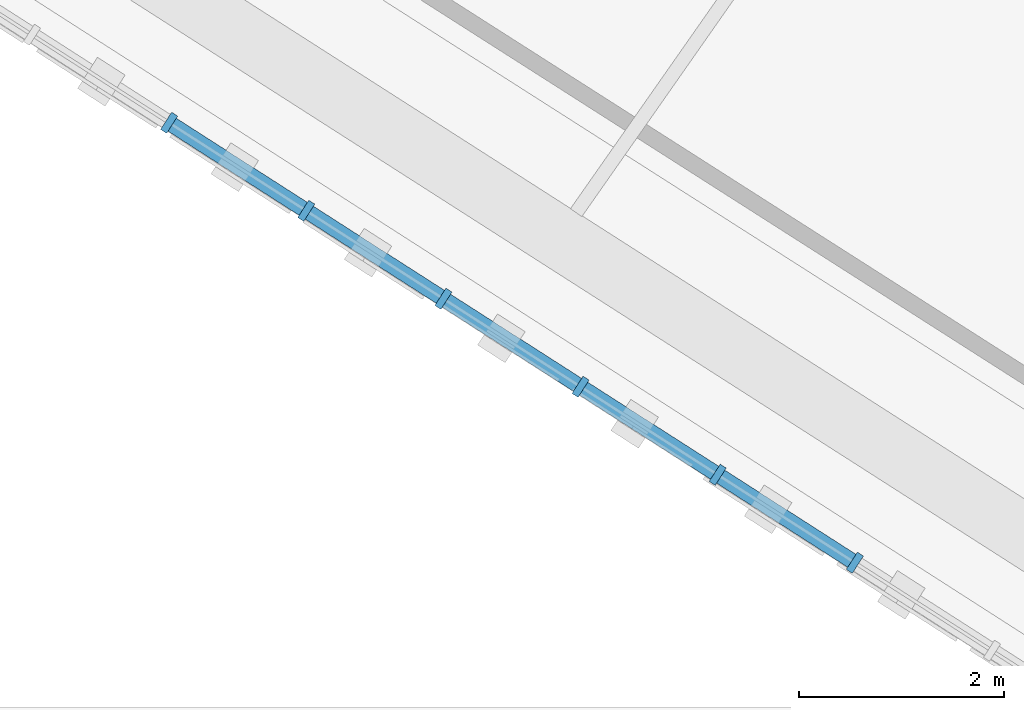
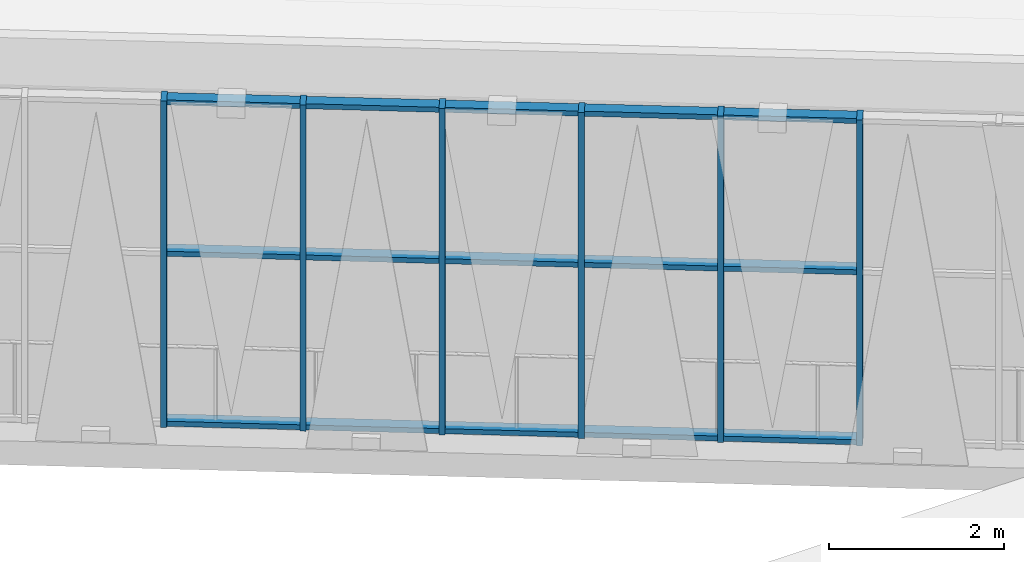
# One storey, part 2 of 108: 21 members, 1 element without a shape of its own.
"""IFC4 building model written with IfcOpenShell, lengths in metres."""

from ifc_helpers import new_model, si_unit, direction, frame, origin, origin_2d, place, context, subcontext, project, spatial, rectangle, extrude, material, material_profile, profile_set, type_object, element, aggregate, save


model = new_model("IFC4")

# Units and contexts
model_context = context("Model", 3, precision=1e-05, world=origin(), true_north=direction((0.0, 1.0)))
body_context = subcontext(model_context, "Body", "Model", "MODEL_VIEW")
ifc_project = project(units=[si_unit("LENGTHUNIT", "METRE"), si_unit("AREAUNIT", "SQUARE_METRE"), si_unit("VOLUMEUNIT", "CUBIC_METRE"), si_unit("PLANEANGLEUNIT", "RADIAN"), si_unit("MASSUNIT", "GRAM", prefix="KILO")], contexts=[model_context])

# Site, building, storey
site_placement = place(None, origin())
site = spatial("IfcSite", under=ifc_project, at=site_placement, CompositionType="ELEMENT")
building_placement = place(site_placement, origin())
building = spatial("IfcBuilding", under=site, at=building_placement, Name="Zevraka Park Crest Stadium", CompositionType="ELEMENT")
storey_placement = place(building_placement, frame((0.0, 0.0, 19.800048828125)))
storey = spatial("IfcBuildingStorey", under=building, at=storey_placement, Name="L04", CompositionType="ELEMENT", Elevation=19.800048828125)

# Curtain wall, members
ifc_material_1 = material(Name="Anodised architectural aluminium and laminated safety glass", Category="aluminium")
curtain_wall_type = type_object("IfcCurtainWallType", Name="CW18", PredefinedType="NOTDEFINED", material=ifc_material_1)
curtain_wall_placement = place(storey_placement, origin())
curtain_wall = element("IfcCurtainWall", 1, at=curtain_wall_placement, inside=storey, type_object=curtain_wall_type, Name="Unitised Ring Curtain Wall CW18 L04-15", PredefinedType="NOTDEFINED")
ifc_material_2 = material(Name="Anodised architectural aluminium", Category="aluminium")
ifc_material_profile_1 = material_profile(ifc_material_2, rectangle(XDim=0.199951171875, YDim=0.070068359375, at=origin_2d()), Name="ALU MULLION 200x70")
ifc_profile_set_1 = profile_set([ifc_material_profile_1], Name="Anodised architectural aluminium")
member_type_1 = type_object("IfcMemberType", Name="CM03", PredefinedType="MULLION", material=ifc_profile_set_1)
member_1_placement = place(storey_placement, frame((56.818115234375, 31.89501953125, 0.0), z_axis=(0.0, 0.0, 1.0), x_axis=(0.539979944029, 0.841677883781, 0.0)))
member_1 = element("IfcMember", 2, at=member_1_placement, type_object=member_type_1, Name="CW18 mullion 8", PredefinedType="MULLION", context=body_context, shape_type="SweptSolid", body=[
    extrude(rectangle(XDim=0.199951171875, YDim=0.070068359375, at=origin_2d()), origin(), (0.0, 0.0, 1.0), 4.5400390625),
])
member_2_placement = place(storey_placement, frame((58.15478515625, 31.037353515625, 0.0), z_axis=(0.0, 0.0, 1.0), x_axis=(0.539979944029, 0.841677883781, 0.0)))
member_2 = element("IfcMember", 3, at=member_2_placement, type_object=member_type_1, Name="CW18 mullion 9", PredefinedType="MULLION", context=body_context, shape_type="SweptSolid", body=[
    extrude(rectangle(XDim=0.199951171875, YDim=0.070068359375, at=origin_2d()), origin(), (0.0, 0.0, 1.0), 4.5400390625),
])
member_3_placement = place(storey_placement, frame((59.491455078125, 30.179931640625, 0.0), z_axis=(0.0, 0.0, 1.0), x_axis=(0.539979944029, 0.841677883781, 0.0)))
member_3 = element("IfcMember", 4, at=member_3_placement, type_object=member_type_1, Name="CW18 mullion 10", PredefinedType="MULLION", context=body_context, shape_type="SweptSolid", body=[
    extrude(rectangle(XDim=0.199951171875, YDim=0.070068359375, at=origin_2d()), origin(), (0.0, 0.0, 1.0), 4.5400390625),
])
member_4_placement = place(storey_placement, frame((60.828125, 29.322265625, 0.0), z_axis=(0.0, 0.0, 1.0), x_axis=(0.539979944029, 0.841677883781, 0.0)))
member_4 = element("IfcMember", 5, at=member_4_placement, type_object=member_type_1, Name="CW18 mullion 11", PredefinedType="MULLION", context=body_context, shape_type="SweptSolid", body=[
    extrude(rectangle(XDim=0.199951171875, YDim=0.070068359375, at=origin_2d()), origin(), (0.0, 0.0, 1.0), 4.5400390625),
])
member_5_placement = place(storey_placement, frame((62.164794921875, 28.464599609375, 0.0), z_axis=(0.0, 0.0, 1.0), x_axis=(0.539979944029, 0.841677883781, 0.0)))
member_5 = element("IfcMember", 6, at=member_5_placement, type_object=member_type_1, Name="CW18 mullion 12", PredefinedType="MULLION", context=body_context, shape_type="SweptSolid", body=[
    extrude(rectangle(XDim=0.199951171875, YDim=0.070068359375, at=origin_2d()), origin(), (0.0, 0.0, 1.0), 4.5400390625),
])
member_6_placement = place(storey_placement, frame((63.50146484375, 27.607177734375, 0.0), z_axis=(0.0, 0.0, 1.0), x_axis=(0.539979944029, 0.841677883781, 0.0)))
member_6 = element("IfcMember", 7, at=member_6_placement, type_object=member_type_1, Name="CW18 mullion 13", PredefinedType="MULLION", context=body_context, shape_type="SweptSolid", body=[
    extrude(rectangle(XDim=0.199951171875, YDim=0.070068359375, at=origin_2d()), origin(), (0.0, 0.0, 1.0), 4.5400390625),
])
ifc_material_3 = material(Name="Anodised architectural aluminium", Category="aluminium")
ifc_material_profile_2 = material_profile(ifc_material_3, rectangle(XDim=0.14990234375, YDim=0.070068359375, at=origin_2d()), Name="ALU TRANSOM 150x70")
ifc_profile_set_2 = profile_set([ifc_material_profile_2], Name="Anodised architectural aluminium")
member_type_2 = type_object("IfcMemberType", Name="CT03", PredefinedType="USERDEFINED", material=ifc_profile_set_2)
member_7_placement = place(storey_placement, frame((56.847412109375, 31.876220703125, 0.034912109375), z_axis=(0.841669260565, -0.539993384978, 0.0), x_axis=(0.539993384978, 0.841669260565, 0.0)))
member_7 = element("IfcMember", 8, at=member_7_placement, type_object=member_type_2, Name="CW18 transom 8.1", ObjectType="TRANSOM", PredefinedType="USERDEFINED", context=body_context, shape_type="SweptSolid", body=[
    extrude(rectangle(XDim=0.14990234375, YDim=0.070068359375, at=origin_2d()), origin(), (0.0, 0.0, 1.0), 1.518310546875),
])
member_8_placement = place(storey_placement, frame((56.847412109375, 31.876220703125, 2.39990234375), z_axis=(0.841669260565, -0.539993384978, 0.0), x_axis=(0.539993384978, 0.841669260565, 0.0)))
member_8 = element("IfcMember", 9, at=member_8_placement, type_object=member_type_2, Name="CW18 transom 8.2", ObjectType="TRANSOM", PredefinedType="USERDEFINED", context=body_context, shape_type="SweptSolid", body=[
    extrude(rectangle(XDim=0.14990234375, YDim=0.070068359375, at=origin_2d()), origin(), (0.0, 0.0, 1.0), 1.518310546875),
])
member_9_placement = place(storey_placement, frame((56.847412109375, 31.876220703125, 4.5048828125), z_axis=(0.841669260565, -0.539993384978, 0.0), x_axis=(0.539993384978, 0.841669260565, 0.0)))
member_9 = element("IfcMember", 10, at=member_9_placement, type_object=member_type_2, Name="CW18 transom 8.3", ObjectType="TRANSOM", PredefinedType="USERDEFINED", context=body_context, shape_type="SweptSolid", body=[
    extrude(rectangle(XDim=0.14990234375, YDim=0.070068359375, at=origin_2d()), origin(), (0.0, 0.0, 1.0), 1.518310546875),
])
member_10_placement = place(storey_placement, frame((58.18408203125, 31.0185546875, 0.034912109375), z_axis=(0.841669260565, -0.539993384978, 0.0), x_axis=(0.539993384978, 0.841669260565, 0.0)))
member_10 = element("IfcMember", 11, at=member_10_placement, type_object=member_type_2, Name="CW18 transom 9.1", ObjectType="TRANSOM", PredefinedType="USERDEFINED", context=body_context, shape_type="SweptSolid", body=[
    extrude(rectangle(XDim=0.14990234375, YDim=0.070068359375, at=origin_2d()), origin(), (0.0, 0.0, 1.0), 1.518310546875),
])
member_11_placement = place(storey_placement, frame((58.18408203125, 31.0185546875, 2.39990234375), z_axis=(0.841669260565, -0.539993384978, 0.0), x_axis=(0.539993384978, 0.841669260565, 0.0)))
member_11 = element("IfcMember", 12, at=member_11_placement, type_object=member_type_2, Name="CW18 transom 9.2", ObjectType="TRANSOM", PredefinedType="USERDEFINED", context=body_context, shape_type="SweptSolid", body=[
    extrude(rectangle(XDim=0.14990234375, YDim=0.070068359375, at=origin_2d()), origin(), (0.0, 0.0, 1.0), 1.518310546875),
])
member_12_placement = place(storey_placement, frame((58.18408203125, 31.0185546875, 4.5048828125), z_axis=(0.841669260565, -0.539993384978, 0.0), x_axis=(0.539993384978, 0.841669260565, 0.0)))
member_12 = element("IfcMember", 13, at=member_12_placement, type_object=member_type_2, Name="CW18 transom 9.3", ObjectType="TRANSOM", PredefinedType="USERDEFINED", context=body_context, shape_type="SweptSolid", body=[
    extrude(rectangle(XDim=0.14990234375, YDim=0.070068359375, at=origin_2d()), origin(), (0.0, 0.0, 1.0), 1.518310546875),
])
member_13_placement = place(storey_placement, frame((59.52099609375, 30.160888671875, 0.034912109375), z_axis=(0.841622360569, -0.540066479417, 0.0), x_axis=(0.540066479417, 0.841622360569, 0.0)))
member_13 = element("IfcMember", 14, at=member_13_placement, type_object=member_type_2, Name="CW18 transom 10.1", ObjectType="TRANSOM", PredefinedType="USERDEFINED", context=body_context, shape_type="SweptSolid", body=[
    extrude(rectangle(XDim=0.14990234375, YDim=0.070068359375, at=origin_2d()), origin(), (0.0, 0.0, 1.0), 1.51806640625),
])
member_14_placement = place(storey_placement, frame((59.52099609375, 30.160888671875, 2.39990234375), z_axis=(0.841622360569, -0.540066479417, 0.0), x_axis=(0.540066479417, 0.841622360569, 0.0)))
member_14 = element("IfcMember", 15, at=member_14_placement, type_object=member_type_2, Name="CW18 transom 10.2", ObjectType="TRANSOM", PredefinedType="USERDEFINED", context=body_context, shape_type="SweptSolid", body=[
    extrude(rectangle(XDim=0.14990234375, YDim=0.070068359375, at=origin_2d()), origin(), (0.0, 0.0, 1.0), 1.51806640625),
])
member_15_placement = place(storey_placement, frame((59.52099609375, 30.160888671875, 4.5048828125), z_axis=(0.841622360569, -0.540066479417, 0.0), x_axis=(0.540066479417, 0.841622360569, 0.0)))
member_15 = element("IfcMember", 16, at=member_15_placement, type_object=member_type_2, Name="CW18 transom 10.3", ObjectType="TRANSOM", PredefinedType="USERDEFINED", context=body_context, shape_type="SweptSolid", body=[
    extrude(rectangle(XDim=0.14990234375, YDim=0.070068359375, at=origin_2d()), origin(), (0.0, 0.0, 1.0), 1.51806640625),
])
member_16_placement = place(storey_placement, frame((60.857666015625, 29.303466796875, 0.034912109375), z_axis=(0.841669260565, -0.539993384978, 0.0), x_axis=(0.539993384978, 0.841669260565, 0.0)))
member_16 = element("IfcMember", 17, at=member_16_placement, type_object=member_type_2, Name="CW18 transom 11.1", ObjectType="TRANSOM", PredefinedType="USERDEFINED", context=body_context, shape_type="SweptSolid", body=[
    extrude(rectangle(XDim=0.14990234375, YDim=0.070068359375, at=origin_2d()), origin(), (0.0, 0.0, 1.0), 1.518310546875),
])
member_17_placement = place(storey_placement, frame((60.857666015625, 29.303466796875, 2.39990234375), z_axis=(0.841669260565, -0.539993384978, 0.0), x_axis=(0.539993384978, 0.841669260565, 0.0)))
member_17 = element("IfcMember", 18, at=member_17_placement, type_object=member_type_2, Name="CW18 transom 11.2", ObjectType="TRANSOM", PredefinedType="USERDEFINED", context=body_context, shape_type="SweptSolid", body=[
    extrude(rectangle(XDim=0.14990234375, YDim=0.070068359375, at=origin_2d()), origin(), (0.0, 0.0, 1.0), 1.518310546875),
])
member_18_placement = place(storey_placement, frame((60.857666015625, 29.303466796875, 4.5048828125), z_axis=(0.841669260565, -0.539993384978, 0.0), x_axis=(0.539993384978, 0.841669260565, 0.0)))
member_18 = element("IfcMember", 19, at=member_18_placement, type_object=member_type_2, Name="CW18 transom 11.3", ObjectType="TRANSOM", PredefinedType="USERDEFINED", context=body_context, shape_type="SweptSolid", body=[
    extrude(rectangle(XDim=0.14990234375, YDim=0.070068359375, at=origin_2d()), origin(), (0.0, 0.0, 1.0), 1.518310546875),
])
member_19_placement = place(storey_placement, frame((62.1943359375, 28.44580078125, 0.034912109375), z_axis=(0.841669260565, -0.539993384978, 0.0), x_axis=(0.539993384978, 0.841669260565, 0.0)))
member_19 = element("IfcMember", 20, at=member_19_placement, type_object=member_type_2, Name="CW18 transom 12.1", ObjectType="TRANSOM", PredefinedType="USERDEFINED", context=body_context, shape_type="SweptSolid", body=[
    extrude(rectangle(XDim=0.14990234375, YDim=0.070068359375, at=origin_2d()), origin(), (0.0, 0.0, 1.0), 1.518310546875),
])
member_20_placement = place(storey_placement, frame((62.1943359375, 28.44580078125, 2.39990234375), z_axis=(0.841669260565, -0.539993384978, 0.0), x_axis=(0.539993384978, 0.841669260565, 0.0)))
member_20 = element("IfcMember", 21, at=member_20_placement, type_object=member_type_2, Name="CW18 transom 12.2", ObjectType="TRANSOM", PredefinedType="USERDEFINED", context=body_context, shape_type="SweptSolid", body=[
    extrude(rectangle(XDim=0.14990234375, YDim=0.070068359375, at=origin_2d()), origin(), (0.0, 0.0, 1.0), 1.518310546875),
])
member_21_placement = place(storey_placement, frame((62.1943359375, 28.44580078125, 4.5048828125), z_axis=(0.841669260565, -0.539993384978, 0.0), x_axis=(0.539993384978, 0.841669260565, 0.0)))
member_21 = element("IfcMember", 22, at=member_21_placement, type_object=member_type_2, Name="CW18 transom 12.3", ObjectType="TRANSOM", PredefinedType="USERDEFINED", context=body_context, shape_type="SweptSolid", body=[
    extrude(rectangle(XDim=0.14990234375, YDim=0.070068359375, at=origin_2d()), origin(), (0.0, 0.0, 1.0), 1.518310546875),
])
aggregate(curtain_wall, [member_1, member_2, member_3, member_4, member_5, member_6, member_7, member_8, member_9, member_10, member_11, member_12, member_13, member_14, member_15, member_16, member_17, member_18, member_19, member_20, member_21])

save(model, "model.ifc")
